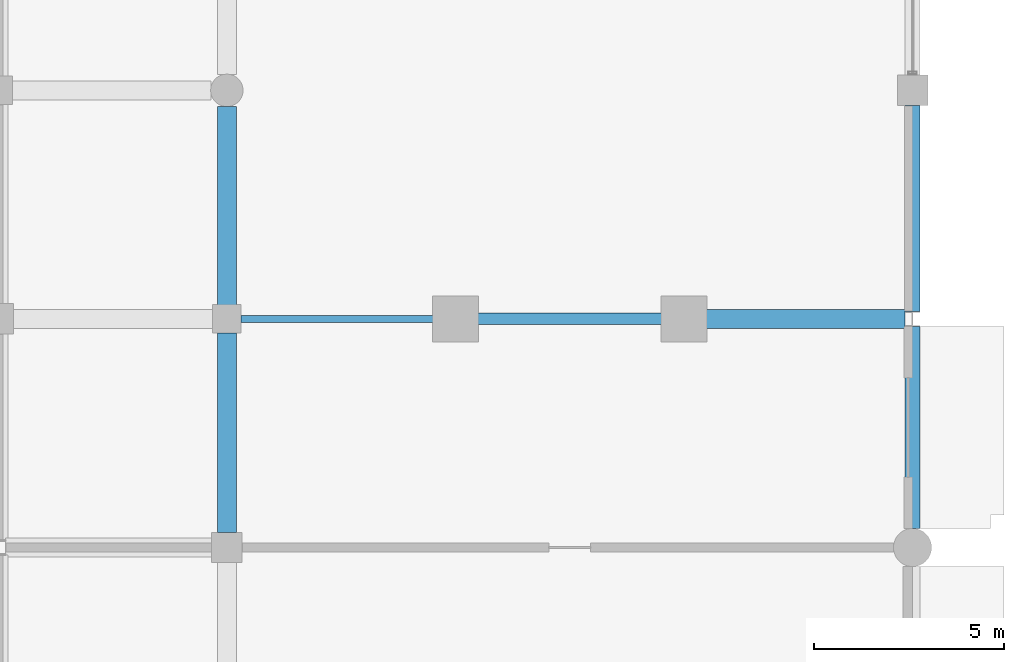
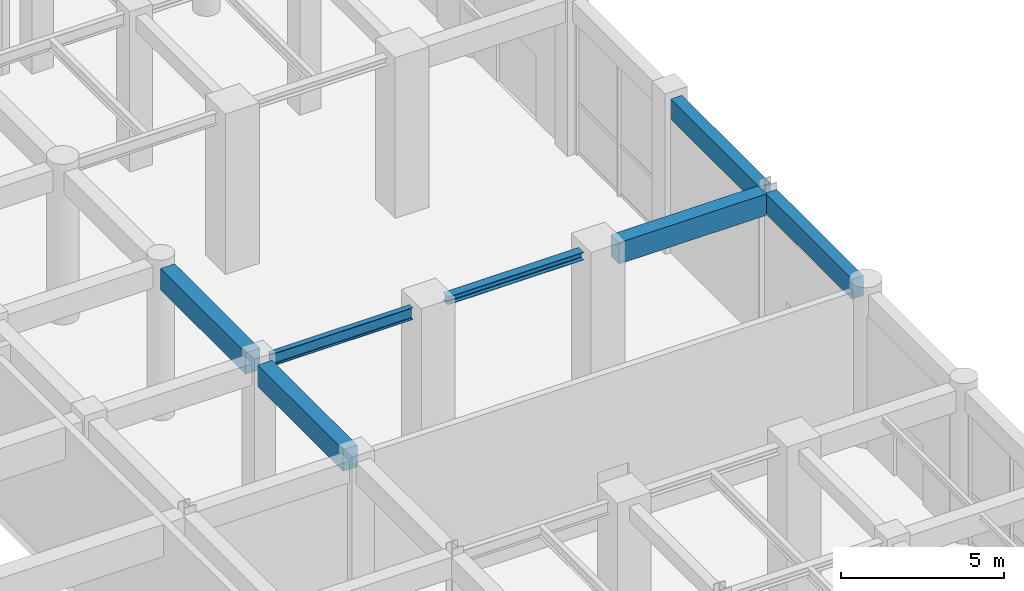
# One storey, part 58 of 106: 7 beams.
"""IFC4 building model written with IfcOpenShell, lengths in metres."""

from ifc_helpers import new_model, si_unit, direction, frame, origin, origin_2d, place, context, subcontext, project, spatial, rectangle, i_section, extrude, material, material_profile, profile_set, type_object, element, save


model = new_model("IFC4")

# Units and contexts
model_context = context("Model", 3, precision=1e-05, world=origin(), true_north=direction((0.0, 1.0)))
body_context = subcontext(model_context, "Body", "Model", "MODEL_VIEW")
ifc_project = project(units=[si_unit("LENGTHUNIT", "METRE"), si_unit("AREAUNIT", "SQUARE_METRE"), si_unit("VOLUMEUNIT", "CUBIC_METRE"), si_unit("PLANEANGLEUNIT", "RADIAN"), si_unit("MASSUNIT", "GRAM", prefix="KILO"), si_unit("THERMODYNAMICTEMPERATUREUNIT", "KELVIN"), si_unit("POWERUNIT", "WATT")], contexts=[model_context])

# Site, building, storey
site_placement = place(None, origin())
site = spatial("IfcSite", under=ifc_project, at=site_placement, CompositionType="ELEMENT")
building_placement = place(site_placement, origin())
building = spatial("IfcBuilding", under=site, at=building_placement, Name="Phaisarnlok Congress Hotel", CompositionType="ELEMENT")
storey_placement = place(building_placement, origin())
storey = spatial("IfcBuildingStorey", under=building, at=storey_placement, Name="L00", CompositionType="ELEMENT", Elevation=0.0)

# Beams
ifc_material_1 = material(Name="Concrete C40/50", Category="concrete")
ifc_material_profile_1 = material_profile(ifc_material_1, rectangle(XDim=0.5, YDim=0.800048828125, at=origin_2d()), Name="RC 500x800")
ifc_profile_set_1 = profile_set([ifc_material_profile_1], Name="Concrete C40/50")
beam_type_1 = type_object("IfcBeamType", Name="BM-RC-500x800", PredefinedType="BEAM", material=ifc_profile_set_1)
beam_1_placement = place(storey_placement, frame((162.0, 48.39501953125, 5.340087890625), z_axis=(0.0, 1.0, 0.0), x_axis=(-1.0, 0.0, 0.0)))
element("IfcBeam", 1, at=beam_1_placement, inside=storey, type_object=beam_type_1, Name="Beam B-04", PredefinedType="BEAM", context=body_context, shape_type="SweptSolid", body=[
    extrude(rectangle(XDim=0.5, YDim=0.800048828125, at=origin_2d()), origin(), (0.0, 0.0, 1.0), 5.23486328125),
])
beam_2_placement = place(storey_placement, frame((162.0, 54.3701171875, 5.340087890625), z_axis=(0.0, 1.0, 0.0), x_axis=(-1.0, 0.0, 0.0)))
element("IfcBeam", 2, at=beam_2_placement, inside=storey, type_object=beam_type_1, Name="Beam B-04", PredefinedType="BEAM", context=body_context, shape_type="SweptSolid", body=[
    extrude(rectangle(XDim=0.5, YDim=0.800048828125, at=origin_2d()), origin(), (0.0, 0.0, 1.0), 5.2099609375),
])
beam_3_placement = place(storey_placement, frame((174.594970703125, 54.0, 5.340087890625), z_axis=(1.0, 0.0, 0.0), x_axis=(0.0, 1.0, 0.0)))
element("IfcBeam", 3, at=beam_3_placement, inside=storey, type_object=beam_type_1, Name="Beam B-04", PredefinedType="BEAM", context=body_context, shape_type="SweptSolid", body=[
    extrude(rectangle(XDim=0.5, YDim=0.800048828125, at=origin_2d()), origin(), (0.0, 0.0, 1.0), 5.20947265625),
])
ifc_material_2 = material(Name="Steel S355", Category="steel")
ifc_material_profile_2 = material_profile(ifc_material_2, i_section(OverallWidth=0.300048828125, OverallDepth=0.2900390625, WebThickness=0.008544921875, FlangeThickness=0.013916015625, FilletRadius=0.027099609375, at=origin_2d()), Name="HEA 300")
ifc_profile_set_2 = profile_set([ifc_material_profile_2], Name="Steel S355")
beam_type_2 = type_object("IfcBeamType", Name="BM-STL-HEA300", PredefinedType="BEAM", material=ifc_profile_set_2)
beam_4_placement = place(storey_placement, frame((168.594970703125, 54.0, 5.594970703125), z_axis=(1.0, 0.0, 0.0), x_axis=(0.0, 1.0, 0.0)))
element("IfcBeam", 4, at=beam_4_placement, inside=storey, type_object=beam_type_2, Name="Beam SB-05", PredefinedType="BEAM", context=body_context, shape_type="SweptSolid", body=[
    extrude(i_section(OverallWidth=0.300048828125, OverallDepth=0.2900390625, WebThickness=0.008544921875, FlangeThickness=0.013916015625, FilletRadius=0.027099609375, at=origin_2d()), origin(), (0.0, 0.0, 1.0), 4.81005859375),
])
ifc_material_profile_3 = material_profile(ifc_material_2, i_section(OverallWidth=0.18994140625, OverallDepth=0.449951171875, WebThickness=0.009521484375, FlangeThickness=0.0146484375, FilletRadius=0.02099609375, at=origin_2d()), Name="IPE 450")
ifc_profile_set_3 = profile_set([ifc_material_profile_3], Name="Steel S355")
beam_type_3 = type_object("IfcBeamType", Name="BM-STL-IPE450", PredefinedType="BEAM", material=ifc_profile_set_3)
beam_5_placement = place(storey_placement, frame((162.3701171875, 54.0, 5.514892578125), z_axis=(1.0, 0.0, 0.0), x_axis=(0.0, 1.0, 0.0)))
element("IfcBeam", 5, at=beam_5_placement, inside=storey, type_object=beam_type_3, Name="Beam SB-01", PredefinedType="BEAM", context=body_context, shape_type="SweptSolid", body=[
    extrude(i_section(OverallWidth=0.18994140625, OverallDepth=0.449951171875, WebThickness=0.009521484375, FlangeThickness=0.0146484375, FilletRadius=0.02099609375, at=origin_2d()), origin(), (0.0, 0.0, 1.0), 5.034912109375),
])
ifc_material_profile_4 = material_profile(ifc_material_1, rectangle(XDim=0.39990234375, YDim=0.75, at=origin_2d()), Name="RC 400x750")
ifc_profile_set_4 = profile_set([ifc_material_profile_4], Name="Concrete C40/50")
beam_type_4 = type_object("IfcBeamType", Name="SP-RC-400x750", PredefinedType="SPANDREL", material=ifc_profile_set_4)
beam_6_placement = place(storey_placement, frame((180.0, 48.4951171875, 5.364990234375), z_axis=(0.0, 1.0, 0.0), x_axis=(-1.0, 0.0, 0.0)))
element("IfcBeam", 6, at=beam_6_placement, inside=storey, type_object=beam_type_4, Name="Beam SP-02", PredefinedType="SPANDREL", context=body_context, shape_type="SweptSolid", body=[
    extrude(rectangle(XDim=0.39990234375, YDim=0.75, at=origin_2d()), origin(), (0.0, 0.0, 1.0), 5.310302734375),
])
beam_7_placement = place(storey_placement, frame((180.0, 54.194580078125, 5.364990234375), z_axis=(0.0, 1.0, 0.0), x_axis=(-1.0, 0.0, 0.0)))
element("IfcBeam", 7, at=beam_7_placement, inside=storey, type_object=beam_type_4, Name="Beam SP-02", PredefinedType="SPANDREL", context=body_context, shape_type="SweptSolid", body=[
    extrude(rectangle(XDim=0.39990234375, YDim=0.75, at=origin_2d()), origin(), (0.0, 0.0, 1.0), 5.410400390625),
])

save(model, "model.ifc")
